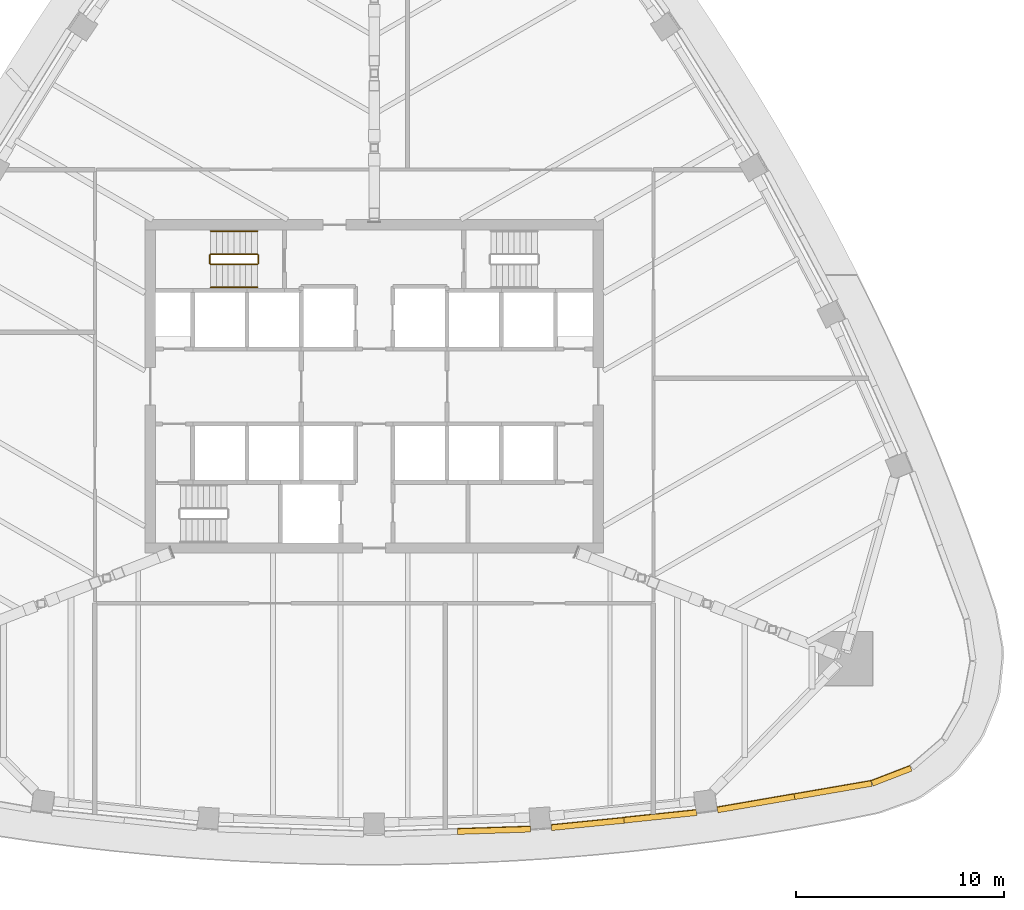
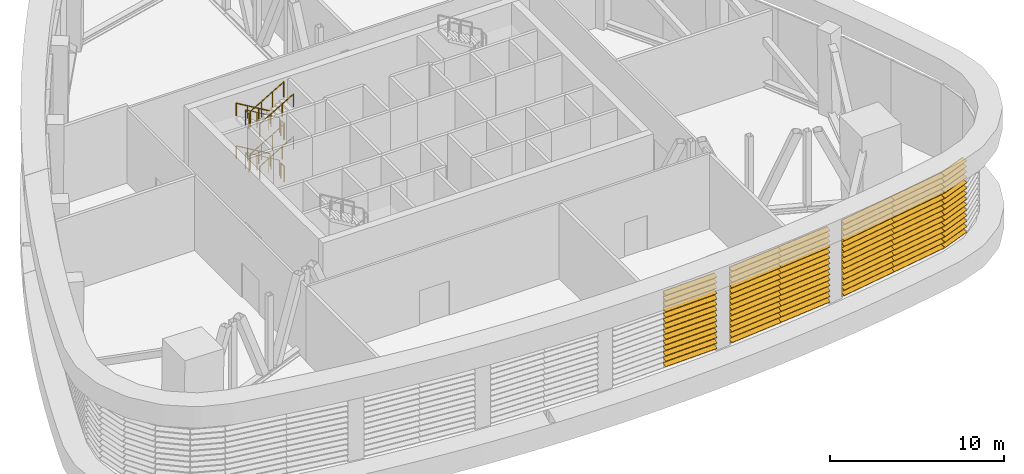
# One storey, part 14 of 18: 12 railings, 6 shading devices.
"""IFC4 building model written with IfcOpenShell, lengths in metres."""

from ifc_helpers import new_model, si_unit, direction, frame, origin, origin_2d, place, context, subcontext, project, spatial, polyline, circle, outline, extrude, material, type_object, element, save


model = new_model("IFC4")

# Units and contexts
model_context = context("Model", 3, precision=1e-05, world=origin(), true_north=direction((0.0, 1.0)))
body_context = subcontext(model_context, "Body", "Model", "MODEL_VIEW")
ifc_project = project(units=[si_unit("LENGTHUNIT", "METRE"), si_unit("AREAUNIT", "SQUARE_METRE"), si_unit("VOLUMEUNIT", "CUBIC_METRE"), si_unit("PLANEANGLEUNIT", "RADIAN"), si_unit("MASSUNIT", "GRAM", prefix="KILO")], contexts=[model_context])

# Site, building, storey
site_placement = place(None, origin())
site = spatial("IfcSite", under=ifc_project, at=site_placement, CompositionType="ELEMENT")
building_placement = place(site_placement, origin())
building = spatial("IfcBuilding", under=site, at=building_placement, Name="Sierra Prisma Convention Tower", CompositionType="ELEMENT")
storey_placement = place(building_placement, frame((0.0, 0.0, 213.800048828125)))
storey = spatial("IfcBuildingStorey", under=building, at=storey_placement, Name="L48", CompositionType="ELEMENT", Elevation=213.800048828125)

# Railings
ifc_material_1 = material(Name="Stainless steel", Category="steel")
railing_type_1 = type_object("IfcRailingType", Name="Exit stair handrail", PredefinedType="HANDRAIL", material=ifc_material_1)
railing_1_placement = place(storey_placement, frame((-5.60009765625, 7.449951171875, 0.16650390625)))
element("IfcRailing", 1, at=railing_1_placement, inside=storey, type_object=railing_type_1, Name="L48 S3 stair handrail 1", PredefinedType="HANDRAIL", context=body_context, shape_type="SweptSolid", body=[
    extrude(circle(Radius=0.02392578125, at=origin_2d()), frame((0.0, 0.0, 0.8759765625), z_axis=(-0.859264461869, 0.0, 0.511531606619), x_axis=(0.0, -1.0, 0.0)), (0.0, 0.0, 1.0), 2.60693359375),
    extrude(circle(Radius=0.02099609375, at=origin_2d()), origin(), (0.0, 0.0, 1.0), 0.851806640625),
    extrude(circle(Radius=0.02099609375, at=origin_2d()), frame((-0.74658203125, 0.0, 0.444580078125)), (0.0, 0.0, 1.0), 0.851806640625),
    extrude(circle(Radius=0.02099609375, at=origin_2d()), frame((-1.493408203125, 0.0, 0.888916015625)), (0.0, 0.0, 1.0), 0.851806640625),
    extrude(circle(Radius=0.02099609375, at=origin_2d()), frame((-2.239990234375, 0.0, 1.33349609375)), (0.0, 0.0, 1.0), 0.851806640625),
])
railing_2_placement = place(storey_placement, frame((-7.840087890625, 4.75, 1.66650390625)))
element("IfcRailing", 2, at=railing_2_placement, inside=storey, type_object=railing_type_1, Name="L48 S3 stair handrail 2", PredefinedType="HANDRAIL", context=body_context, shape_type="SweptSolid", body=[
    extrude(circle(Radius=0.02392578125, at=origin_2d()), frame((0.0, 0.0, 0.8759765625), z_axis=(0.859264461869, 0.0, 0.511531606619), x_axis=(0.0, 1.0, 0.0)), (0.0, 0.0, 1.0), 2.60693359375),
    extrude(circle(Radius=0.02099609375, at=origin_2d()), origin(), (0.0, 0.0, 1.0), 0.851806640625),
    extrude(circle(Radius=0.02099609375, at=origin_2d()), frame((0.74658203125, 0.0, 0.444580078125)), (0.0, 0.0, 1.0), 0.851806640625),
    extrude(circle(Radius=0.02099609375, at=origin_2d()), frame((1.493408203125, 0.0, 0.888916015625)), (0.0, 0.0, 1.0), 0.851806640625),
    extrude(circle(Radius=0.02099609375, at=origin_2d()), frame((2.239990234375, 0.0, 1.33349609375)), (0.0, 0.0, 1.0), 0.851806640625),
])
railing_3_placement = place(storey_placement, frame((-5.60009765625, 7.449951171875, 3.16650390625)))
element("IfcRailing", 3, at=railing_3_placement, inside=storey, type_object=railing_type_1, Name="L48 S3 stair handrail 3", PredefinedType="HANDRAIL", context=body_context, shape_type="SweptSolid", body=[
    extrude(circle(Radius=0.02392578125, at=origin_2d()), frame((0.0, 0.0, 0.8759765625), z_axis=(-0.859264461869, 0.0, 0.511531606619), x_axis=(0.0, -1.0, 0.0)), (0.0, 0.0, 1.0), 2.60693359375),
    extrude(circle(Radius=0.02099609375, at=origin_2d()), origin(), (0.0, 0.0, 1.0), 0.851806640625),
    extrude(circle(Radius=0.02099609375, at=origin_2d()), frame((-0.74658203125, 0.0, 0.444580078125)), (0.0, 0.0, 1.0), 0.851806640625),
    extrude(circle(Radius=0.02099609375, at=origin_2d()), frame((-1.493408203125, 0.0, 0.888916015625)), (0.0, 0.0, 1.0), 0.851806640625),
    extrude(circle(Radius=0.02099609375, at=origin_2d()), frame((-2.239990234375, 0.0, 1.33349609375)), (0.0, 0.0, 1.0), 0.851806640625),
])
railing_4_placement = place(storey_placement, frame((-7.840087890625, 4.75, 4.66650390625)))
element("IfcRailing", 4, at=railing_4_placement, inside=storey, type_object=railing_type_1, Name="L48 S3 stair handrail 4", PredefinedType="HANDRAIL", context=body_context, shape_type="SweptSolid", body=[
    extrude(circle(Radius=0.02392578125, at=origin_2d()), frame((0.0, 0.0, 0.8759765625), z_axis=(0.859264461869, 0.0, 0.511531606619), x_axis=(0.0, 1.0, 0.0)), (0.0, 0.0, 1.0), 2.60693359375),
    extrude(circle(Radius=0.02099609375, at=origin_2d()), origin(), (0.0, 0.0, 1.0), 0.851806640625),
    extrude(circle(Radius=0.02099609375, at=origin_2d()), frame((0.74658203125, 0.0, 0.444580078125)), (0.0, 0.0, 1.0), 0.851806640625),
    extrude(circle(Radius=0.02099609375, at=origin_2d()), frame((1.493408203125, 0.0, 0.888916015625)), (0.0, 0.0, 1.0), 0.851806640625),
    extrude(circle(Radius=0.02099609375, at=origin_2d()), frame((2.239990234375, 0.0, 1.33349609375)), (0.0, 0.0, 1.0), 0.851806640625),
])

# Shading devices
ifc_material_2 = material(Name="Aluminium 6063-T6 bronze anodised", Category="aluminium")
shading_device_type = type_object("IfcShadingDeviceType", Name="Louvre bay bronze", PredefinedType="USERDEFINED", material=ifc_material_2)
shading_device_1_placement = place(storey_placement, frame((3.996826171875, -21.194091796875, 0.0), z_axis=(-0.999458681794, -0.032898987625, 0.0), x_axis=(0.0, 0.0, 1.0)))
element("IfcShadingDevice", 5, at=shading_device_1_placement, inside=storey, type_object=shading_device_type, Name="Louvre L48 S4.2", ObjectType="LOUVRE", PredefinedType="USERDEFINED", context=body_context, shape_type="SweptSolid", body=[
    extrude(outline(polyline([(0.0, 0.0), (5.39990234375, 0.0), (5.39990234375, -0.03004516938748847), (5.3798828125, -0.03004516938748847), (5.260009765625, -0.2999717089198156), (5.22998046875, -0.2999717089198156), (5.349853515625, -0.03004516938748847), (5.01416015625, -0.03004516938748847), (4.994140625, -0.03004516938748847), (4.874267578125, -0.2999717089198156), (4.84423828125, -0.2999717089198156), (4.96435546875, -0.03004516938748847), (4.62841796875, -0.03004516938748847), (4.608642578125, -0.03004516938748847), (4.488525390625, -0.2999717089198156), (4.45849609375, -0.2999717089198156), (4.57861328125, -0.03004516938748847), (4.242919921875, -0.03004516938748847), (4.222900390625, -0.03004516938748847), (4.102783203125, -0.2999717089198156), (4.07275390625, -0.2999717089198156), (4.19287109375, -0.03004516938748847), (3.857177734375, -0.03004516938748847), (3.837158203125, -0.03004516938748847), (3.717041015625, -0.2999717089198156), (3.68701171875, -0.2999717089198156), (3.80712890625, -0.03004516938748847), (3.471435546875, -0.03004516938748847), (3.451416015625, -0.03004516938748847), (3.331298828125, -0.2999717089198156), (3.30126953125, -0.2999717089198156), (3.42138671875, -0.03004516938748847), (3.085693359375, -0.03004516938748847), (3.065673828125, -0.03004516938748847), (2.945556640625, -0.2999717089198156), (2.915771484375, -0.2999717089198156), (3.03564453125, -0.03004516938748847), (2.699951171875, -0.03004516938748847), (2.679931640625, -0.03004516938748847), (2.56005859375, -0.2999717089198156), (2.530029296875, -0.2999717089198156), (2.64990234375, -0.03004516938748847), (2.314208984375, -0.03004516938748847), (2.294189453125, -0.03004516938748847), (2.17431640625, -0.2999717089198156), (2.144287109375, -0.2999717089198156), (2.26416015625, -0.03004516938748847), (1.928466796875, -0.03004516938748847), (1.908447265625, -0.03004516938748847), (1.78857421875, -0.2999717089198156), (1.758544921875, -0.2999717089198156), (1.87841796875, -0.03004516938748847), (1.542724609375, -0.03004516938748847), (1.522705078125, -0.03004516938748847), (1.40283203125, -0.2999717089198156), (1.372802734375, -0.2999717089198156), (1.492919921875, -0.03004516938748847), (1.156982421875, -0.03004516938748847), (1.13720703125, -0.03004516938748847), (1.01708984375, -0.2999717089198156), (0.987060546875, -0.2999717089198156), (1.107177734375, -0.03004516938748847), (0.771484375, -0.03004516938748847), (0.75146484375, -0.03004516938748847), (0.63134765625, -0.2999717089198156), (0.601318359375, -0.2999717089198156), (0.721435546875, -0.03004516938748847), (0.3857421875, -0.03004516938748847), (0.36572265625, -0.03004516938748847), (0.24560546875, -0.2999717089198156), (0.215576171875, -0.2999717089198156), (0.335693359375, -0.03004516938748847), (0.0, -0.03004516938748847), (0.0, 0.0)])), origin(), (0.0, 0.0, -1.0), 3.4990234375),
])
shading_device_2_placement = place(storey_placement, frame((8.490966796875, -21.00732421875, 0.0), z_axis=(-0.995021343038, -0.099662063488, 0.0), x_axis=(0.0, 0.0, 1.0)))
element("IfcShadingDevice", 6, at=shading_device_2_placement, inside=storey, type_object=shading_device_type, Name="Louvre L48 S5.1", ObjectType="LOUVRE", PredefinedType="USERDEFINED", context=body_context, shape_type="SweptSolid", body=[
    extrude(outline(polyline([(0.0, 0.0), (5.39990234375, 0.0), (5.39990234375, -0.029928844876099196), (5.3798828125, -0.029928844876099196), (5.260009765625, -0.2998959568184912), (5.22998046875, -0.2998959568184912), (5.349853515625, -0.029928844876099196), (5.01416015625, -0.029928844876099196), (4.994140625, -0.029928844876099196), (4.874267578125, -0.2998959568184912), (4.84423828125, -0.2998959568184912), (4.96435546875, -0.029928844876099196), (4.62841796875, -0.029928844876099196), (4.608642578125, -0.029928844876099196), (4.488525390625, -0.2998959568184912), (4.45849609375, -0.2998959568184912), (4.57861328125, -0.029928844876099196), (4.242919921875, -0.029928844876099196), (4.222900390625, -0.029928844876099196), (4.102783203125, -0.2998959568184912), (4.07275390625, -0.2998959568184912), (4.19287109375, -0.029928844876099196), (3.857177734375, -0.029928844876099196), (3.837158203125, -0.029928844876099196), (3.717041015625, -0.2998959568184912), (3.68701171875, -0.2998959568184912), (3.80712890625, -0.029928844876099196), (3.471435546875, -0.029928844876099196), (3.451416015625, -0.029928844876099196), (3.331298828125, -0.2998959568184912), (3.30126953125, -0.2998959568184912), (3.42138671875, -0.029928844876099196), (3.085693359375, -0.029928844876099196), (3.065673828125, -0.029928844876099196), (2.945556640625, -0.2998959568184912), (2.915771484375, -0.2998959568184912), (3.03564453125, -0.029928844876099196), (2.699951171875, -0.029928844876099196), (2.679931640625, -0.029928844876099196), (2.56005859375, -0.2998959568184912), (2.530029296875, -0.2998959568184912), (2.64990234375, -0.029928844876099196), (2.314208984375, -0.029928844876099196), (2.294189453125, -0.029928844876099196), (2.17431640625, -0.2998959568184912), (2.144287109375, -0.2998959568184912), (2.26416015625, -0.029928844876099196), (1.928466796875, -0.029928844876099196), (1.908447265625, -0.029928844876099196), (1.78857421875, -0.2998959568184912), (1.758544921875, -0.2998959568184912), (1.87841796875, -0.029928844876099196), (1.542724609375, -0.029928844876099196), (1.522705078125, -0.029928844876099196), (1.40283203125, -0.2998959568184912), (1.372802734375, -0.2998959568184912), (1.492919921875, -0.029928844876099196), (1.156982421875, -0.029928844876099196), (1.13720703125, -0.029928844876099196), (1.01708984375, -0.2998959568184912), (0.987060546875, -0.2998959568184912), (1.107177734375, -0.029928844876099196), (0.771484375, -0.029928844876099196), (0.75146484375, -0.029928844876099196), (0.63134765625, -0.2998959568184912), (0.601318359375, -0.2998959568184912), (0.721435546875, -0.029928844876099196), (0.3857421875, -0.029928844876099196), (0.36572265625, -0.029928844876099196), (0.24560546875, -0.2998959568184912), (0.215576171875, -0.2998959568184912), (0.335693359375, -0.029928844876099196), (0.0, -0.029928844876099196), (0.0, 0.0)])), origin(), (0.0, 0.0, -1.0), 3.4990234375),
])
shading_device_3_placement = place(storey_placement, frame((11.9716796875, -20.65087890625, 0.0), z_axis=(-0.99453895039, -0.104366068037, 0.0), x_axis=(0.0, 0.0, 1.0)))
element("IfcShadingDevice", 7, at=shading_device_3_placement, inside=storey, type_object=shading_device_type, Name="Louvre L48 S5.2", ObjectType="LOUVRE", PredefinedType="USERDEFINED", context=body_context, shape_type="SweptSolid", body=[
    extrude(outline(polyline([(0.0, 0.0), (5.39990234375, 0.0), (5.39990234375, -0.02995373799610345), (5.3798828125, -0.02995373799610345), (5.260009765625, -0.30016388205552225), (5.22998046875, -0.30016388205552225), (5.349853515625, -0.02995373799610345), (5.01416015625, -0.02995373799610345), (4.994140625, -0.02995373799610345), (4.874267578125, -0.30016388205552225), (4.84423828125, -0.30016388205552225), (4.96435546875, -0.02995373799610345), (4.62841796875, -0.02995373799610345), (4.608642578125, -0.02995373799610345), (4.488525390625, -0.30016388205552225), (4.45849609375, -0.30016388205552225), (4.57861328125, -0.02995373799610345), (4.242919921875, -0.02995373799610345), (4.222900390625, -0.02995373799610345), (4.102783203125, -0.30016388205552225), (4.07275390625, -0.30016388205552225), (4.19287109375, -0.02995373799610345), (3.857177734375, -0.02995373799610345), (3.837158203125, -0.02995373799610345), (3.717041015625, -0.30016388205552225), (3.68701171875, -0.30016388205552225), (3.80712890625, -0.02995373799610345), (3.471435546875, -0.02995373799610345), (3.451416015625, -0.02995373799610345), (3.331298828125, -0.30016388205552225), (3.30126953125, -0.30016388205552225), (3.42138671875, -0.02995373799610345), (3.085693359375, -0.02995373799610345), (3.065673828125, -0.02995373799610345), (2.945556640625, -0.30016388205552225), (2.915771484375, -0.30016388205552225), (3.03564453125, -0.02995373799610345), (2.699951171875, -0.02995373799610345), (2.679931640625, -0.02995373799610345), (2.56005859375, -0.30016388205552225), (2.530029296875, -0.30016388205552225), (2.64990234375, -0.02995373799610345), (2.314208984375, -0.02995373799610345), (2.294189453125, -0.02995373799610345), (2.17431640625, -0.30016388205552225), (2.144287109375, -0.30016388205552225), (2.26416015625, -0.02995373799610345), (1.928466796875, -0.02995373799610345), (1.908447265625, -0.02995373799610345), (1.78857421875, -0.30016388205552225), (1.758544921875, -0.30016388205552225), (1.87841796875, -0.02995373799610345), (1.542724609375, -0.02995373799610345), (1.522705078125, -0.02995373799610345), (1.40283203125, -0.30016388205552225), (1.372802734375, -0.30016388205552225), (1.492919921875, -0.02995373799610345), (1.156982421875, -0.02995373799610345), (1.13720703125, -0.02995373799610345), (1.01708984375, -0.30016388205552225), (0.987060546875, -0.30016388205552225), (1.107177734375, -0.02995373799610345), (0.771484375, -0.02995373799610345), (0.75146484375, -0.02995373799610345), (0.63134765625, -0.30016388205552225), (0.601318359375, -0.30016388205552225), (0.721435546875, -0.02995373799610345), (0.3857421875, -0.02995373799610345), (0.36572265625, -0.02995373799610345), (0.24560546875, -0.30016388205552225), (0.215576171875, -0.30016388205552225), (0.335693359375, -0.02995373799610345), (0.0, -0.02995373799610345), (0.0, 0.0)])), origin(), (0.0, 0.0, -1.0), 3.4990234375),
])
shading_device_4_placement = place(storey_placement, frame((16.44287109375, -20.1591796875, 0.0), z_axis=(-0.985407546539, -0.170211536693, 0.0), x_axis=(0.0, 0.0, 1.0)))
element("IfcShadingDevice", 8, at=shading_device_4_placement, inside=storey, type_object=shading_device_type, Name="Louvre L48 S6.1", ObjectType="LOUVRE", PredefinedType="USERDEFINED", context=body_context, shape_type="SweptSolid", body=[
    extrude(outline(polyline([(0.0, 0.0), (5.39990234375, 0.0), (5.39990234375, -0.029982606299269673), (5.3798828125, -0.029982606299269673), (5.260009765625, -0.2999835299050878), (5.22998046875, -0.2999835299050878), (5.349853515625, -0.029982606299269673), (5.01416015625, -0.029982606299269673), (4.994140625, -0.029982606299269673), (4.874267578125, -0.2999835299050878), (4.84423828125, -0.2999835299050878), (4.96435546875, -0.029982606299269673), (4.62841796875, -0.029982606299269673), (4.608642578125, -0.029982606299269673), (4.488525390625, -0.2999835299050878), (4.45849609375, -0.2999835299050878), (4.57861328125, -0.029982606299269673), (4.242919921875, -0.029982606299269673), (4.222900390625, -0.029982606299269673), (4.102783203125, -0.2999835299050878), (4.07275390625, -0.2999835299050878), (4.19287109375, -0.029982606299269673), (3.857177734375, -0.029982606299269673), (3.837158203125, -0.029982606299269673), (3.717041015625, -0.2999835299050878), (3.68701171875, -0.2999835299050878), (3.80712890625, -0.029982606299269673), (3.471435546875, -0.029982606299269673), (3.451416015625, -0.029982606299269673), (3.331298828125, -0.2999835299050878), (3.30126953125, -0.2999835299050878), (3.42138671875, -0.029982606299269673), (3.085693359375, -0.029982606299269673), (3.065673828125, -0.029982606299269673), (2.945556640625, -0.2999835299050878), (2.915771484375, -0.2999835299050878), (3.03564453125, -0.029982606299269673), (2.699951171875, -0.029982606299269673), (2.679931640625, -0.029982606299269673), (2.56005859375, -0.2999835299050878), (2.530029296875, -0.2999835299050878), (2.64990234375, -0.029982606299269673), (2.314208984375, -0.029982606299269673), (2.294189453125, -0.029982606299269673), (2.17431640625, -0.2999835299050878), (2.144287109375, -0.2999835299050878), (2.26416015625, -0.029982606299269673), (1.928466796875, -0.029982606299269673), (1.908447265625, -0.029982606299269673), (1.78857421875, -0.2999835299050878), (1.758544921875, -0.2999835299050878), (1.87841796875, -0.029982606299269673), (1.542724609375, -0.029982606299269673), (1.522705078125, -0.029982606299269673), (1.40283203125, -0.2999835299050878), (1.372802734375, -0.2999835299050878), (1.492919921875, -0.029982606299269673), (1.156982421875, -0.029982606299269673), (1.13720703125, -0.029982606299269673), (1.01708984375, -0.2999835299050878), (0.987060546875, -0.2999835299050878), (1.107177734375, -0.029982606299269673), (0.771484375, -0.029982606299269673), (0.75146484375, -0.029982606299269673), (0.63134765625, -0.2999835299050878), (0.601318359375, -0.2999835299050878), (0.721435546875, -0.029982606299269673), (0.3857421875, -0.029982606299269673), (0.36572265625, -0.029982606299269673), (0.24560546875, -0.2999835299050878), (0.215576171875, -0.2999835299050878), (0.335693359375, -0.029982606299269673), (0.0, -0.029982606299269673), (0.0, 0.0)])), origin(), (0.0, 0.0, -1.0), 3.7490234375),
])
shading_device_5_placement = place(storey_placement, frame((20.137939453125, -19.52490234375, 0.0), z_axis=(-0.985407546539, -0.170211536693, 0.0), x_axis=(0.0, 0.0, 1.0)))
element("IfcShadingDevice", 9, at=shading_device_5_placement, inside=storey, type_object=shading_device_type, Name="Louvre L48 S6.2", ObjectType="LOUVRE", PredefinedType="USERDEFINED", context=body_context, shape_type="SweptSolid", body=[
    extrude(outline(polyline([(0.0, 0.0), (5.39990234375, 0.0), (5.39990234375, -0.029982606299269673), (5.3798828125, -0.029982606299269673), (5.260009765625, -0.2999835299050878), (5.22998046875, -0.2999835299050878), (5.349853515625, -0.029982606299269673), (5.01416015625, -0.029982606299269673), (4.994140625, -0.029982606299269673), (4.874267578125, -0.2999835299050878), (4.84423828125, -0.2999835299050878), (4.96435546875, -0.029982606299269673), (4.62841796875, -0.029982606299269673), (4.608642578125, -0.029982606299269673), (4.488525390625, -0.2999835299050878), (4.45849609375, -0.2999835299050878), (4.57861328125, -0.029982606299269673), (4.242919921875, -0.029982606299269673), (4.222900390625, -0.029982606299269673), (4.102783203125, -0.2999835299050878), (4.07275390625, -0.2999835299050878), (4.19287109375, -0.029982606299269673), (3.857177734375, -0.029982606299269673), (3.837158203125, -0.029982606299269673), (3.717041015625, -0.2999835299050878), (3.68701171875, -0.2999835299050878), (3.80712890625, -0.029982606299269673), (3.471435546875, -0.029982606299269673), (3.451416015625, -0.029982606299269673), (3.331298828125, -0.2999835299050878), (3.30126953125, -0.2999835299050878), (3.42138671875, -0.029982606299269673), (3.085693359375, -0.029982606299269673), (3.065673828125, -0.029982606299269673), (2.945556640625, -0.2999835299050878), (2.915771484375, -0.2999835299050878), (3.03564453125, -0.029982606299269673), (2.699951171875, -0.029982606299269673), (2.679931640625, -0.029982606299269673), (2.56005859375, -0.2999835299050878), (2.530029296875, -0.2999835299050878), (2.64990234375, -0.029982606299269673), (2.314208984375, -0.029982606299269673), (2.294189453125, -0.029982606299269673), (2.17431640625, -0.2999835299050878), (2.144287109375, -0.2999835299050878), (2.26416015625, -0.029982606299269673), (1.928466796875, -0.029982606299269673), (1.908447265625, -0.029982606299269673), (1.78857421875, -0.2999835299050878), (1.758544921875, -0.2999835299050878), (1.87841796875, -0.029982606299269673), (1.542724609375, -0.029982606299269673), (1.522705078125, -0.029982606299269673), (1.40283203125, -0.2999835299050878), (1.372802734375, -0.2999835299050878), (1.492919921875, -0.029982606299269673), (1.156982421875, -0.029982606299269673), (1.13720703125, -0.029982606299269673), (1.01708984375, -0.2999835299050878), (0.987060546875, -0.2999835299050878), (1.107177734375, -0.029982606299269673), (0.771484375, -0.029982606299269673), (0.75146484375, -0.029982606299269673), (0.63134765625, -0.2999835299050878), (0.601318359375, -0.2999835299050878), (0.721435546875, -0.029982606299269673), (0.3857421875, -0.029982606299269673), (0.36572265625, -0.029982606299269673), (0.24560546875, -0.2999835299050878), (0.215576171875, -0.2999835299050878), (0.335693359375, -0.029982606299269673), (0.0, -0.029982606299269673), (0.0, 0.0)])), origin(), (0.0, 0.0, -1.0), 3.7490234375),
])
shading_device_6_placement = place(storey_placement, frame((23.8330078125, -18.890625, 0.0), z_axis=(-0.932861358752, -0.360235597001, 0.0), x_axis=(0.0, 0.0, 1.0)))
element("IfcShadingDevice", 10, at=shading_device_6_placement, inside=storey, type_object=shading_device_type, Name="Louvre L48 SE1.1", ObjectType="LOUVRE", PredefinedType="USERDEFINED", context=body_context, shape_type="SweptSolid", body=[
    extrude(outline(polyline([(0.0, 0.0), (5.39990234375, 0.0), (5.39990234375, -0.030060894171036977), (5.3798828125, -0.030060894171036977), (5.260009765625, -0.30008583194114263), (5.22998046875, -0.30008583194114263), (5.349853515625, -0.030060894171036977), (5.01416015625, -0.030060894171036977), (4.994140625, -0.030060894171036977), (4.874267578125, -0.30008583194114263), (4.84423828125, -0.30008583194114263), (4.96435546875, -0.030060894171036977), (4.62841796875, -0.030060894171036977), (4.608642578125, -0.030060894171036977), (4.488525390625, -0.30008583194114263), (4.45849609375, -0.30008583194114263), (4.57861328125, -0.030060894171036977), (4.242919921875, -0.030060894171036977), (4.222900390625, -0.030060894171036977), (4.102783203125, -0.30008583194114263), (4.07275390625, -0.30008583194114263), (4.19287109375, -0.030060894171036977), (3.857177734375, -0.030060894171036977), (3.837158203125, -0.030060894171036977), (3.717041015625, -0.30008583194114263), (3.68701171875, -0.30008583194114263), (3.80712890625, -0.030060894171036977), (3.471435546875, -0.030060894171036977), (3.451416015625, -0.030060894171036977), (3.331298828125, -0.30008583194114263), (3.30126953125, -0.30008583194114263), (3.42138671875, -0.030060894171036977), (3.085693359375, -0.030060894171036977), (3.065673828125, -0.030060894171036977), (2.945556640625, -0.30008583194114263), (2.915771484375, -0.30008583194114263), (3.03564453125, -0.030060894171036977), (2.699951171875, -0.030060894171036977), (2.679931640625, -0.030060894171036977), (2.56005859375, -0.30008583194114263), (2.530029296875, -0.30008583194114263), (2.64990234375, -0.030060894171036977), (2.314208984375, -0.030060894171036977), (2.294189453125, -0.030060894171036977), (2.17431640625, -0.30008583194114263), (2.144287109375, -0.30008583194114263), (2.26416015625, -0.030060894171036977), (1.928466796875, -0.030060894171036977), (1.908447265625, -0.030060894171036977), (1.78857421875, -0.30008583194114263), (1.758544921875, -0.30008583194114263), (1.87841796875, -0.030060894171036977), (1.542724609375, -0.030060894171036977), (1.522705078125, -0.030060894171036977), (1.40283203125, -0.30008583194114263), (1.372802734375, -0.30008583194114263), (1.492919921875, -0.030060894171036977), (1.156982421875, -0.030060894171036977), (1.13720703125, -0.030060894171036977), (1.01708984375, -0.30008583194114263), (0.987060546875, -0.30008583194114263), (1.107177734375, -0.030060894171036977), (0.771484375, -0.030060894171036977), (0.75146484375, -0.030060894171036977), (0.63134765625, -0.30008583194114263), (0.601318359375, -0.30008583194114263), (0.721435546875, -0.030060894171036977), (0.3857421875, -0.030060894171036977), (0.36572265625, -0.030060894171036977), (0.24560546875, -0.30008583194114263), (0.215576171875, -0.30008583194114263), (0.335693359375, -0.030060894171036977), (0.0, -0.030060894171036977), (0.0, 0.0)])), origin(), (0.0, 0.0, -1.0), 1.997314453125),
])

# Railings
ifc_material_3 = material(Name="Stainless steel", Category="steel")
railing_type_2 = type_object("IfcRailingType", Name="Stair guard 1100", PredefinedType="GUARDRAIL", material=ifc_material_3)
railing_5_placement = place(storey_placement, frame((-5.60009765625, 6.35009765625, 0.16650390625)))
element("IfcRailing", 11, at=railing_5_placement, inside=storey, type_object=railing_type_2, Name="L48 S3 stair guard 1", PredefinedType="GUARDRAIL", context=body_context, shape_type="SweptSolid", body=[
    extrude(circle(Radius=0.02392578125, at=origin_2d()), frame((0.0, 0.0, 1.076171875), z_axis=(-0.859264461869, 0.0, 0.511531606619), x_axis=(0.0, -1.0, 0.0)), (0.0, 0.0, 1.0), 2.60693359375),
    extrude(circle(Radius=0.02099609375, at=origin_2d()), origin(), (0.0, 0.0, 1.0), 1.052001953125),
    extrude(circle(Radius=0.02099609375, at=origin_2d()), frame((-0.74658203125, 0.0, 0.444580078125)), (0.0, 0.0, 1.0), 1.052001953125),
    extrude(circle(Radius=0.02099609375, at=origin_2d()), frame((-1.493408203125, 0.0, 0.888916015625)), (0.0, 0.0, 1.0), 1.052001953125),
    extrude(circle(Radius=0.02099609375, at=origin_2d()), frame((-2.239990234375, 0.0, 1.33349609375)), (0.0, 0.0, 1.0), 1.052001953125),
])
railing_6_placement = place(storey_placement, frame((-7.889892578125, 6.300048828125, 1.5)))
element("IfcRailing", 12, at=railing_6_placement, inside=storey, type_object=railing_type_2, Name="L48 S3 stair guard 2", PredefinedType="GUARDRAIL", context=body_context, shape_type="SweptSolid", body=[
    extrude(circle(Radius=0.02392578125, at=origin_2d()), frame((0.0, 0.0, 1.076171875), z_axis=(0.0, -1.0, 0.0), x_axis=(1.0, 0.0, 0.0)), (0.0, 0.0, 1.0), 0.400146484375),
    extrude(circle(Radius=0.02099609375, at=origin_2d()), origin(), (0.0, 0.0, 1.0), 1.052001953125),
    extrude(circle(Radius=0.02099609375, at=origin_2d()), frame((0.0, -0.400146484375, 0.0)), (0.0, 0.0, 1.0), 1.052001953125),
])
railing_7_placement = place(storey_placement, frame((-7.840087890625, 5.85009765625, 1.66650390625)))
element("IfcRailing", 13, at=railing_7_placement, inside=storey, type_object=railing_type_2, Name="L48 S3 stair guard 3", PredefinedType="GUARDRAIL", context=body_context, shape_type="SweptSolid", body=[
    extrude(circle(Radius=0.02392578125, at=origin_2d()), frame((0.0, 0.0, 1.076171875), z_axis=(0.859264461869, 0.0, 0.511531606619), x_axis=(0.0, 1.0, 0.0)), (0.0, 0.0, 1.0), 2.60693359375),
    extrude(circle(Radius=0.02099609375, at=origin_2d()), origin(), (0.0, 0.0, 1.0), 1.052001953125),
    extrude(circle(Radius=0.02099609375, at=origin_2d()), frame((0.74658203125, 0.0, 0.444580078125)), (0.0, 0.0, 1.0), 1.052001953125),
    extrude(circle(Radius=0.02099609375, at=origin_2d()), frame((1.493408203125, 0.0, 0.888916015625)), (0.0, 0.0, 1.0), 1.052001953125),
    extrude(circle(Radius=0.02099609375, at=origin_2d()), frame((2.239990234375, 0.0, 1.33349609375)), (0.0, 0.0, 1.0), 1.052001953125),
])
railing_8_placement = place(storey_placement, frame((-5.550048828125, 6.300048828125, 3.0)))
element("IfcRailing", 14, at=railing_8_placement, inside=storey, type_object=railing_type_2, Name="L48 S3 stair guard 4", PredefinedType="GUARDRAIL", context=body_context, shape_type="SweptSolid", body=[
    extrude(circle(Radius=0.02392578125, at=origin_2d()), frame((0.0, 0.0, 1.076171875), z_axis=(0.0, -1.0, 0.0), x_axis=(1.0, 0.0, 0.0)), (0.0, 0.0, 1.0), 0.400146484375),
    extrude(circle(Radius=0.02099609375, at=origin_2d()), origin(), (0.0, 0.0, 1.0), 1.052001953125),
    extrude(circle(Radius=0.02099609375, at=origin_2d()), frame((0.0, -0.400146484375, 0.0)), (0.0, 0.0, 1.0), 1.052001953125),
])
railing_9_placement = place(storey_placement, frame((-5.60009765625, 6.35009765625, 3.16650390625)))
element("IfcRailing", 15, at=railing_9_placement, inside=storey, type_object=railing_type_2, Name="L48 S3 stair guard 5", PredefinedType="GUARDRAIL", context=body_context, shape_type="SweptSolid", body=[
    extrude(circle(Radius=0.02392578125, at=origin_2d()), frame((0.0, 0.0, 1.076171875), z_axis=(-0.859264461869, 0.0, 0.511531606619), x_axis=(0.0, -1.0, 0.0)), (0.0, 0.0, 1.0), 2.60693359375),
    extrude(circle(Radius=0.02099609375, at=origin_2d()), origin(), (0.0, 0.0, 1.0), 1.052001953125),
    extrude(circle(Radius=0.02099609375, at=origin_2d()), frame((-0.74658203125, 0.0, 0.444580078125)), (0.0, 0.0, 1.0), 1.052001953125),
    extrude(circle(Radius=0.02099609375, at=origin_2d()), frame((-1.493408203125, 0.0, 0.888916015625)), (0.0, 0.0, 1.0), 1.052001953125),
    extrude(circle(Radius=0.02099609375, at=origin_2d()), frame((-2.239990234375, 0.0, 1.33349609375)), (0.0, 0.0, 1.0), 1.052001953125),
])
railing_10_placement = place(storey_placement, frame((-7.889892578125, 6.300048828125, 4.5)))
element("IfcRailing", 16, at=railing_10_placement, inside=storey, type_object=railing_type_2, Name="L48 S3 stair guard 6", PredefinedType="GUARDRAIL", context=body_context, shape_type="SweptSolid", body=[
    extrude(circle(Radius=0.02392578125, at=origin_2d()), frame((0.0, 0.0, 1.076171875), z_axis=(0.0, -1.0, 0.0), x_axis=(1.0, 0.0, 0.0)), (0.0, 0.0, 1.0), 0.400146484375),
    extrude(circle(Radius=0.02099609375, at=origin_2d()), origin(), (0.0, 0.0, 1.0), 1.052001953125),
    extrude(circle(Radius=0.02099609375, at=origin_2d()), frame((0.0, -0.400146484375, 0.0)), (0.0, 0.0, 1.0), 1.052001953125),
])
railing_11_placement = place(storey_placement, frame((-7.840087890625, 5.85009765625, 4.66650390625)))
element("IfcRailing", 17, at=railing_11_placement, inside=storey, type_object=railing_type_2, Name="L48 S3 stair guard 7", PredefinedType="GUARDRAIL", context=body_context, shape_type="SweptSolid", body=[
    extrude(circle(Radius=0.02392578125, at=origin_2d()), frame((0.0, 0.0, 1.076171875), z_axis=(0.859264461869, 0.0, 0.511531606619), x_axis=(0.0, 1.0, 0.0)), (0.0, 0.0, 1.0), 2.60693359375),
    extrude(circle(Radius=0.02099609375, at=origin_2d()), origin(), (0.0, 0.0, 1.0), 1.052001953125),
    extrude(circle(Radius=0.02099609375, at=origin_2d()), frame((0.74658203125, 0.0, 0.444580078125)), (0.0, 0.0, 1.0), 1.052001953125),
    extrude(circle(Radius=0.02099609375, at=origin_2d()), frame((1.493408203125, 0.0, 0.888916015625)), (0.0, 0.0, 1.0), 1.052001953125),
    extrude(circle(Radius=0.02099609375, at=origin_2d()), frame((2.239990234375, 0.0, 1.33349609375)), (0.0, 0.0, 1.0), 1.052001953125),
])
railing_12_placement = place(storey_placement, frame((-5.550048828125, 6.300048828125, 0.0)))
element("IfcRailing", 18, at=railing_12_placement, inside=storey, type_object=railing_type_2, Name="L48 S3 stair guard 8", PredefinedType="GUARDRAIL", context=body_context, shape_type="SweptSolid", body=[
    extrude(circle(Radius=0.02392578125, at=origin_2d()), frame((0.0, 0.0, 1.076171875), z_axis=(0.0, -1.0, 0.0), x_axis=(1.0, 0.0, 0.0)), (0.0, 0.0, 1.0), 0.400146484375),
    extrude(circle(Radius=0.02099609375, at=origin_2d()), origin(), (0.0, 0.0, 1.0), 1.052001953125),
    extrude(circle(Radius=0.02099609375, at=origin_2d()), frame((0.0, -0.400146484375, 0.0)), (0.0, 0.0, 1.0), 1.052001953125),
])

save(model, "model.ifc")
